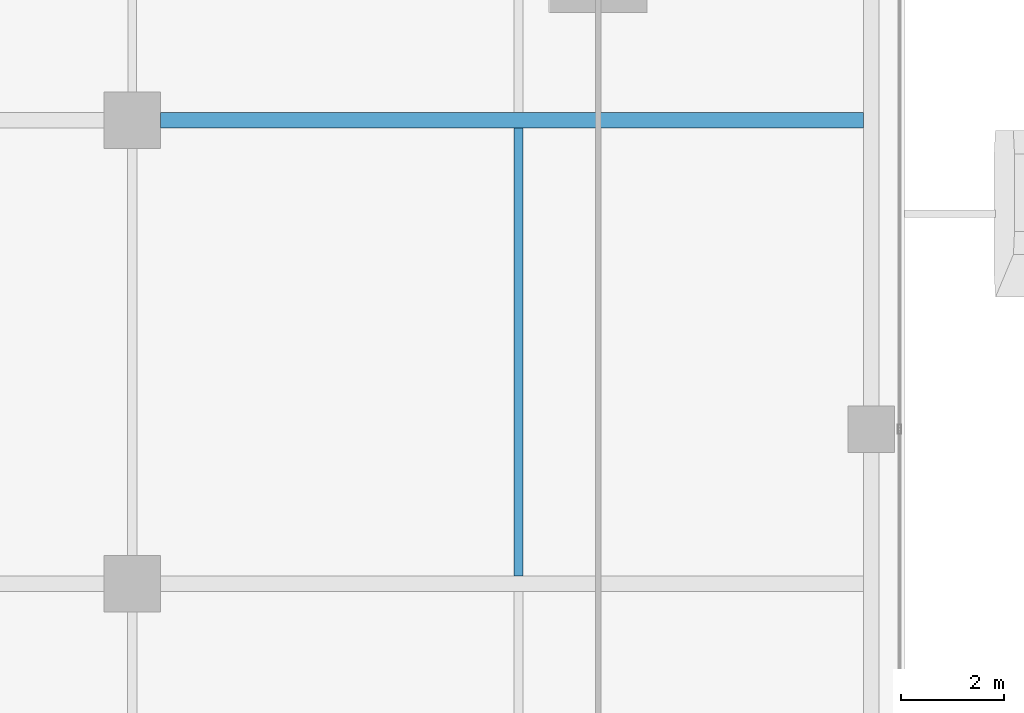
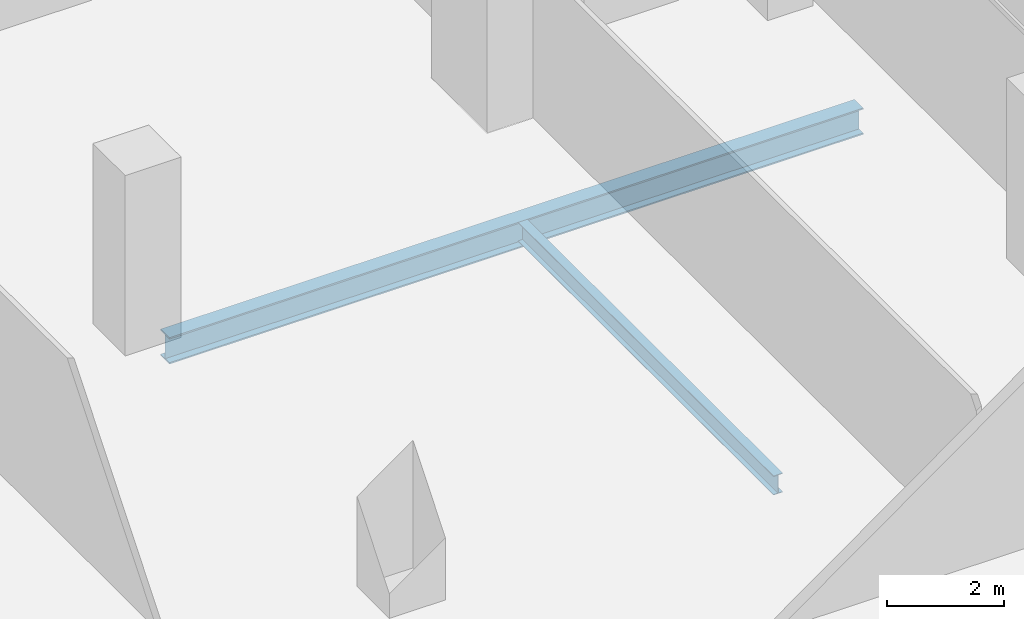
# One storey, part 21 of 36: 2 beams.
"""IFC4 building model written with IfcOpenShell, lengths in metres."""

from ifc_helpers import new_model, si_unit, direction, frame, origin, origin_2d, place, context, subcontext, project, spatial, i_section, extrude, source, transform, mapped, material, material_profile, profile_set, type_object, element, save


model = new_model("IFC4")

# Units and contexts
model_context = context("Model", 3, precision=1e-05, world=origin(), true_north=direction((0.0, 1.0)))
body_context = subcontext(model_context, "Body", "Model", "MODEL_VIEW")
ifc_project = project(units=[si_unit("LENGTHUNIT", "METRE"), si_unit("AREAUNIT", "SQUARE_METRE"), si_unit("VOLUMEUNIT", "CUBIC_METRE"), si_unit("PLANEANGLEUNIT", "RADIAN"), si_unit("MASSUNIT", "GRAM", prefix="KILO")], contexts=[model_context])

# Site, building, storey
site_placement = place(None, origin())
site = spatial("IfcSite", under=ifc_project, at=site_placement, CompositionType="ELEMENT")
building_placement = place(site_placement, origin())
building = spatial("IfcBuilding", under=site, at=building_placement, Name="Khomas Fold Tower", CompositionType="ELEMENT")
storey_placement = place(building_placement, frame((0.0, 0.0, 238.199951171875)))
storey = spatial("IfcBuildingStorey", under=building, at=storey_placement, Name="L53", CompositionType="ELEMENT", Elevation=238.199951171875)

# Beams
ifc_material_1 = material(Name="Steel S355", Category="steel")
ifc_material_profile_1 = material_profile(ifc_material_1, i_section(OverallWidth=0.179931640625, OverallDepth=0.39990234375, WebThickness=0.008544921875, FlangeThickness=0.013427734375, at=origin_2d()), Name="IPE 400")
ifc_profile_set_1 = profile_set([ifc_material_profile_1], Name="Steel S355")
beam_type_1 = type_object("IfcBeamType", Name="IPE 400 beam JB3", PredefinedType="BEAM", material=ifc_profile_set_1)
shared_shape_1 = source(origin(), body_context, "Body", "SweptSolid", [
    extrude(i_section(OverallWidth=0.179931640625, OverallDepth=0.39990234375, WebThickness=0.008544921875, FlangeThickness=0.013427734375, at=origin_2d()), origin(), (0.0, 0.0, 1.0), 8.7001953125),
])
beam_1_placement = place(storey_placement, frame((42.0, 31.64990234375, -0.449951171875), z_axis=(0.0, 1.0, 0.0), x_axis=(-1.0, 0.0, 0.0)))
element("IfcBeam", 1, at=beam_1_placement, inside=storey, type_object=beam_type_1, Name="JB3", PredefinedType="BEAM", context=body_context, shape_type="MappedRepresentation", body=[
    mapped(shared_shape_1, transform((0.0, 0.0, 0.0))),
])
ifc_material_2 = material(Name="Steel S355", Category="steel")
ifc_material_profile_2 = material_profile(ifc_material_2, i_section(OverallWidth=0.300048828125, OverallDepth=0.550048828125, WebThickness=0.014892578125, FlangeThickness=0.029052734375, at=origin_2d()), Name="HE 550 B")
ifc_profile_set_2 = profile_set([ifc_material_profile_2], Name="Steel S355")
beam_type_2 = type_object("IfcBeamType", Name="HE 550 B beam GB4", PredefinedType="BEAM", material=ifc_profile_set_2)
shared_shape_2 = source(origin(), body_context, "Body", "SweptSolid", [
    extrude(i_section(OverallWidth=0.300048828125, OverallDepth=0.550048828125, WebThickness=0.014892578125, FlangeThickness=0.029052734375, at=origin_2d()), origin(), (0.0, 0.0, 1.0), 13.64990234375),
])
beam_2_placement = place(storey_placement, frame((35.050048828125, 40.5, -0.52490234375), z_axis=(1.0, 0.0, 0.0), x_axis=(0.0, 1.0, 0.0)))
element("IfcBeam", 2, at=beam_2_placement, inside=storey, type_object=beam_type_2, Name="GB4", PredefinedType="BEAM", context=body_context, shape_type="MappedRepresentation", body=[
    mapped(shared_shape_2, transform((0.0, 0.0, 0.0))),
])

save(model, "model.ifc")
